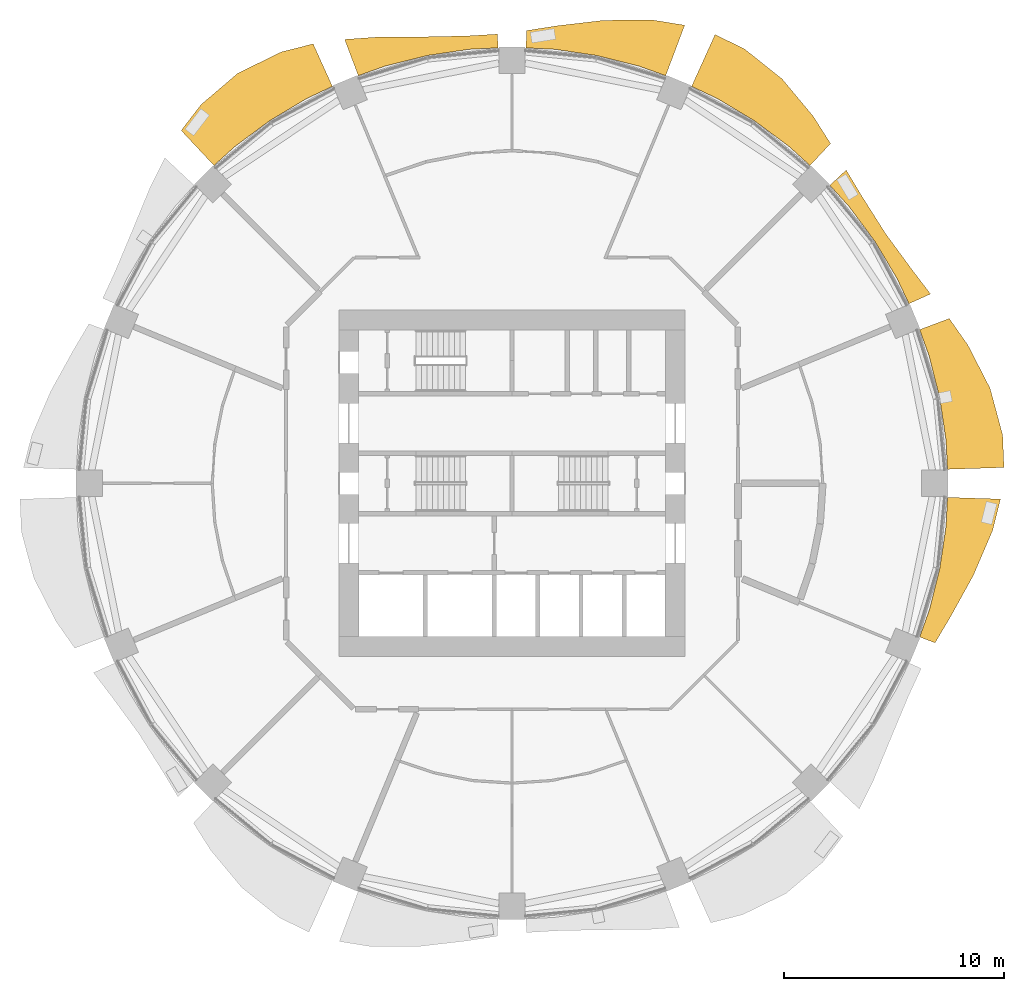
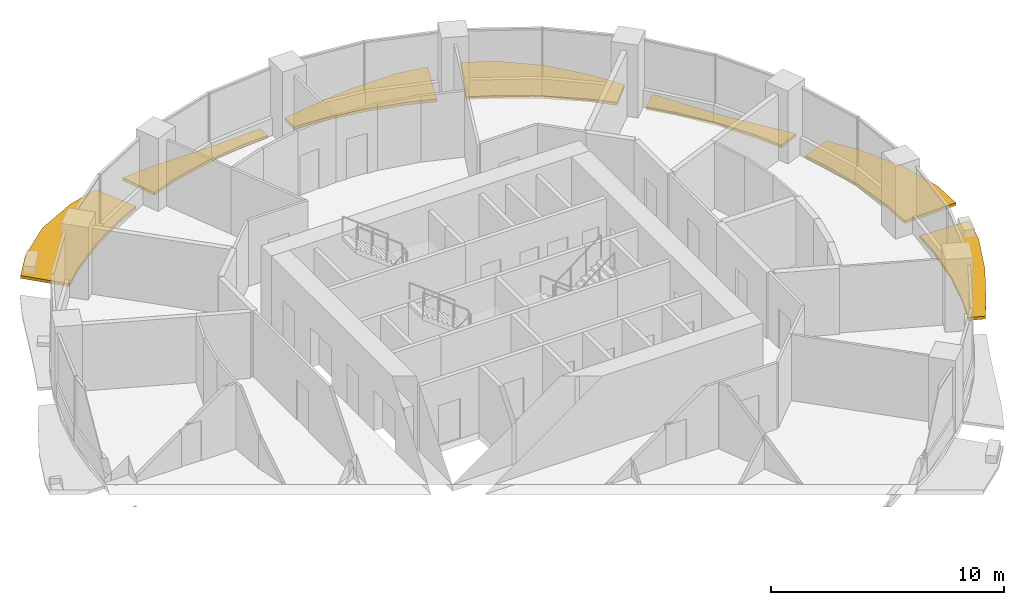
# One storey, part 14 of 15: 7 shading devices.
"""IFC4 building model written with IfcOpenShell, lengths in metres."""

import ifcopenshell
import ifcopenshell.guid

model = None  # the IFC model being written
_history = None  # IfcOwnerHistory: only IFC2X3 demands one
_inside = {}  # id of a spatial element -> (the spatial element, [elements in it])
_under = {}  # id of a project, library or spatial element -> (it, [spatial elements below it])
_declared = {}  # id of a project -> (the project, [libraries it declares])
_typed = {}  # id of a type object -> (the type object, [elements of that type])
_made_of = {}  # id of a material, layer set ... -> (it, [elements and type objects made of it])


def new_model(schema):
    """Start an empty IFC model of exactly this schema.

    Asked for "IFC4X3", IfcOpenShell would pick the latest addendum, in which some entities
    have other attributes; the version numbers below select the first issue.
    IFC2X3 requires an IfcOwnerHistory on every rooted entity: one is made here for all.
    """
    global model, _history
    if schema == "IFC4X3":
        model = ifcopenshell.file(schema_version=(4, 3, 0, 0))
    else:
        model = ifcopenshell.file(schema=schema)
    _inside.clear()
    _under.clear()
    _declared.clear()
    _typed.clear()
    _made_of.clear()
    _history = None
    if model.schema == "IFC2X3":
        org = make("IfcOrganization", Name="unknown")
        user = make(
            "IfcPersonAndOrganization",
            ThePerson=make("IfcPerson", FamilyName="unknown"),
            TheOrganization=org,
        )
        app = make(
            "IfcApplication",
            ApplicationDeveloper=org,
            Version="unknown",
            ApplicationFullName="unknown",
            ApplicationIdentifier="unknown",
        )
        _history = make(
            "IfcOwnerHistory",
            OwningUser=user,
            OwningApplication=app,
            ChangeAction="ADDED",
            CreationDate=0,
        )
    return model


def make(cls, **values):
    """One entity of the class cls with the attributes given. An attribute that is None is left unset."""
    return model.create_entity(
        cls, **{name: value for name, value in values.items() if value is not None}
    )


def rooted(cls, **values):
    """An entity with a GlobalId (a new one), such as an element, a storey or a relation."""
    return make(cls, GlobalId=ifcopenshell.guid.new(), OwnerHistory=_history, **values)


def si_unit(unit_type, name, prefix=None):
    """IfcSIUnit, for example si_unit("LENGTHUNIT", "METRE", prefix="MILLI")."""
    return make("IfcSIUnit", UnitType=unit_type, Prefix=prefix, Name=name)


def assignment(units):
    """IfcUnitAssignment: the units of a project."""
    return None if units is None else make("IfcUnitAssignment", Units=units)


def point(xyz):
    """IfcCartesianPoint."""
    return None if xyz is None else make("IfcCartesianPoint", Coordinates=xyz)


def direction(xyz):
    """IfcDirection."""
    return None if xyz is None else make("IfcDirection", DirectionRatios=xyz)


def frame(location, z_axis=None, x_axis=None):
    """IfcAxis2Placement3D, a coordinate frame: its origin and axes. An axis left out is left unset."""
    return make(
        "IfcAxis2Placement3D",
        Location=point(location),
        Axis=direction(z_axis),
        RefDirection=direction(x_axis),
    )


def origin():
    """The frame at (0, 0, 0) with its axes left unset."""
    return frame((0.0, 0.0, 0.0))


def place(relative_to, where):
    """IfcLocalPlacement: puts the frame where relative to a parent placement (None: the world)."""
    return make(
        "IfcLocalPlacement", PlacementRelTo=relative_to, RelativePlacement=where
    )


def context(
    kind, dimensions, precision=None, world=None, true_north=None, identifier=None
):
    """IfcGeometricRepresentationContext, for example the 3D "Model" context."""
    return make(
        "IfcGeometricRepresentationContext",
        ContextIdentifier=identifier,
        ContextType=kind,
        CoordinateSpaceDimension=dimensions,
        Precision=precision,
        WorldCoordinateSystem=world,
        TrueNorth=true_north,
    )


def subcontext(parent, identifier, kind, view, scale=None):
    """IfcGeometricRepresentationSubContext, for example "Body" below "Model"."""
    return make(
        "IfcGeometricRepresentationSubContext",
        ContextIdentifier=identifier,
        ContextType=kind,
        ParentContext=parent,
        TargetScale=scale,
        TargetView=view,
    )


def project(units=None, contexts=None):
    """IfcProject with its units and contexts."""
    return rooted(
        "IfcProject",
        Name="project",
        RepresentationContexts=contexts,
        UnitsInContext=assignment(units),
    )


def spatial(cls, under=None, at=None, **own):
    """A site, building, storey or space (cls), placed at a placement, below another one or the project."""
    s = rooted(cls, ObjectPlacement=at, **own)
    if under is not None:
        _under.setdefault(under.id(), (under, []))[1].append(s)
    return s


def polyline(points):
    """IfcPolyline through the points."""
    return make("IfcPolyline", Points=[point(p) for p in points])


def outline(outer, holes=None, kind="AREA"):
    """IfcArbitraryClosedProfileDef: a profile drawn as a closed curve; with holes, ...WithVoids."""
    if holes is None:
        return make("IfcArbitraryClosedProfileDef", ProfileType=kind, OuterCurve=outer)
    return make(
        "IfcArbitraryProfileDefWithVoids",
        ProfileType=kind,
        OuterCurve=outer,
        InnerCurves=holes,
    )


def extrude(swept, where, along, depth):
    """IfcExtrudedAreaSolid: the profile swept, set in the frame where, extruded along a direction by depth."""
    return make(
        "IfcExtrudedAreaSolid",
        SweptArea=swept,
        Position=where,
        ExtrudedDirection=direction(along),
        Depth=depth,
    )


def shape(context_of_items, identifier, shape_type, items):
    """IfcShapeRepresentation: the items that make up one representation, for example the "Body"."""
    return make(
        "IfcShapeRepresentation",
        ContextOfItems=context_of_items,
        RepresentationIdentifier=identifier,
        RepresentationType=shape_type,
        Items=items,
    )


def material(Name=None, Category=None):
    """IfcMaterial."""
    return make("IfcMaterial", Name=Name, Category=Category)


def made_of(thing, what):
    """Note that an element or type object is made of a material, layer set ...; save() writes the relation."""
    if what is not None:
        _made_of.setdefault(what.id(), (what, []))[1].append(thing)
    return thing


def type_object(cls, material=None, **own):
    """A type object (cls), such as IfcWallType, which elements share."""
    return made_of(rooted(cls, **own), material)


def element(
    cls,
    number,
    at=None,
    inside=None,
    cuts=None,
    type_object=None,
    material=None,
    context=None,
    identifier="Body",
    shape_type=None,
    held_by="IfcProductDefinitionShape",
    body=None,
    shapes=None,
    **own,
):
    """One element of the class cls, such as IfcWall. Its Tag is "e" and its number.

    at: its placement. inside: the storey or other place that contains it. cuts: it is an
    opening in that element (IfcRelVoidsElement). A single representation is given by context,
    identifier, shape_type and body (its items); several are given by shapes. held_by: the class
    of the entity that holds the representations. save() writes the other relations.
    """
    e = rooted(cls, Tag="e%d" % number, ObjectPlacement=at, **own)
    if body is not None:
        shapes = [shape(context, identifier, shape_type, body)]
    if shapes is not None:
        e.Representation = make(held_by, Representations=shapes)
    if inside is not None:
        _inside.setdefault(inside.id(), (inside, []))[1].append(e)
    if cuts is not None:
        rooted(
            "IfcRelVoidsElement", RelatingBuildingElement=cuts, RelatedOpeningElement=e
        )
    if type_object is not None:
        _typed.setdefault(type_object.id(), (type_object, []))[1].append(e)
    return made_of(e, material)


def aggregate(whole, parts):
    """IfcRelAggregates: a whole, such as a stair, and the parts it consists of."""
    return rooted("IfcRelAggregates", RelatingObject=whole, RelatedObjects=parts)


def save(model, path):
    """Write the relations noted so far, then the file.

    IfcRelAggregates (storeys below a building ...), IfcRelContainedInSpatialStructure (elements
    in a storey), IfcRelDefinesByType, IfcRelAssociatesMaterial and IfcRelDeclares: one each for
    every whole, place, type object, material and project.
    """
    for whole, parts in _under.values():
        aggregate(whole, parts)
    for where, things in _inside.values():
        rooted(
            "IfcRelContainedInSpatialStructure",
            RelatedElements=things,
            RelatingStructure=where,
        )
    for kind, things in _typed.values():
        rooted("IfcRelDefinesByType", RelatedObjects=things, RelatingType=kind)
    for what, things in _made_of.values():
        rooted("IfcRelAssociatesMaterial", RelatedObjects=things, RelatingMaterial=what)
    for by, libraries in _declared.values():
        rooted("IfcRelDeclares", RelatingContext=by, RelatedDefinitions=libraries)
    model.write(path)


model = new_model("IFC4")

# Units and contexts
model_context = context("Model", 3, precision=1e-05, world=origin(), true_north=direction((0.0, 1.0)))
body_context = subcontext(model_context, "Body", "Model", "MODEL_VIEW")
ifc_project = project(units=[si_unit("LENGTHUNIT", "METRE"), si_unit("AREAUNIT", "SQUARE_METRE"), si_unit("VOLUMEUNIT", "CUBIC_METRE"), si_unit("PLANEANGLEUNIT", "RADIAN"), si_unit("MASSUNIT", "GRAM", prefix="KILO")], contexts=[model_context])

# Site, building, storey
site_placement = place(None, origin())
site = spatial("IfcSite", under=ifc_project, at=site_placement, CompositionType="ELEMENT")
building_placement = place(site_placement, origin())
building = spatial("IfcBuilding", under=site, at=building_placement, Name="Polderwave Tower", CompositionType="ELEMENT")
storey_placement = place(building_placement, frame((0.0, 0.0, 22.39990234375)))
storey = spatial("IfcBuildingStorey", under=building, at=storey_placement, Name="L05", CompositionType="ELEMENT", Elevation=22.39990234375)

# Shading devices
ifc_material = material(Name="Terracotta", Category="masonry")
shading_device_type = type_object("IfcShadingDeviceType", Name="Terracotta sunshade band", PredefinedType="USERDEFINED", material=ifc_material)
shading_device_1_placement = place(storey_placement, frame((0.0, 0.0, -0.349853515625)))
element("IfcShadingDevice", 1, at=shading_device_1_placement, inside=storey, type_object=shading_device_type, Name="Sunshade band L05 1", ObjectType="SUNSHADE", PredefinedType="USERDEFINED", context=body_context, shape_type="SweptSolid", body=[
    extrude(outline(polyline([(19.798583984375, 0.6376953125), (19.734619140625, 1.943603515625), (19.448974609375, 3.86865234375), (18.97607421875, 5.75634765625), (18.53564453125, 6.987548828125), (19.880126953125, 7.494384765625), (20.727294921875, 6.28759765625), (21.736083984375, 4.323486328125), (22.30908203125, 2.197265625), (22.369873046875, 0.720458984375), (19.798583984375, 0.6376953125)])), origin(), (0.0, 0.0, 1.0), 0.14990234375),
])
shading_device_2_placement = place(storey_placement, frame((0.0, 0.0, -0.349853515625)))
element("IfcShadingDevice", 2, at=shading_device_2_placement, inside=storey, type_object=shading_device_type, Name="Sunshade band L05 2", ObjectType="SUNSHADE", PredefinedType="USERDEFINED", context=body_context, shape_type="SweptSolid", body=[
    extrude(outline(polyline([(18.047607421875, 8.165771484375), (17.488525390625, 9.347900390625), (16.488037109375, 11.01708984375), (15.328857421875, 12.580078125), (14.45068359375, 13.548828125), (15.193115234375, 14.244873046875), (15.907958984375, 13.055419921875), (16.987548828125, 11.3505859375), (18.184326171875, 9.7197265625), (19.029052734375, 8.60986328125), (18.047607421875, 8.165771484375)])), origin(), (0.0, 0.0, 1.0), 0.14990234375),
])
shading_device_3_placement = place(storey_placement, frame((0.0, 0.0, -0.349853515625)))
element("IfcShadingDevice", 3, at=shading_device_3_placement, inside=storey, type_object=shading_device_type, Name="Sunshade band L05 3", ObjectType="SUNSHADE", PredefinedType="USERDEFINED", context=body_context, shape_type="SweptSolid", body=[
    extrude(outline(polyline([(13.548828125, 14.45068359375), (12.580078125, 15.328857421875), (11.01708984375, 16.488037109375), (9.347900390625, 17.488525390625), (8.165771484375, 18.047607421875), (9.23193359375, 20.404296875), (10.560791015625, 19.7578125), (12.284423828125, 18.385009765625), (13.696533203125, 16.689208984375), (14.48388671875, 15.44775390625), (13.548828125, 14.45068359375)])), origin(), (0.0, 0.0, 1.0), 0.14990234375),
])
shading_device_4_placement = place(storey_placement, frame((0.0, 0.0, -0.349853515625)))
element("IfcShadingDevice", 4, at=shading_device_4_placement, inside=storey, type_object=shading_device_type, Name="Sunshade band L05 4", ObjectType="SUNSHADE", PredefinedType="USERDEFINED", context=body_context, shape_type="SweptSolid", body=[
    extrude(outline(polyline([(6.987548828125, 18.53564453125), (5.75634765625, 18.97607421875), (3.86865234375, 19.448974609375), (1.943603515625, 19.734619140625), (0.6376953125, 19.798583984375), (0.6630859375, 20.58544921875), (2.049072265625, 20.803955078125), (4.187744140625, 21.05322265625), (6.390625, 21.06689453125), (7.8525390625, 20.830322265625), (6.987548828125, 18.53564453125)])), origin(), (0.0, 0.0, 1.0), 0.14990234375),
])
shading_device_5_placement = place(storey_placement, frame((0.0, 0.0, -0.349853515625)))
element("IfcShadingDevice", 5, at=shading_device_5_placement, inside=storey, type_object=shading_device_type, Name="Sunshade band L05 5", ObjectType="SUNSHADE", PredefinedType="USERDEFINED", context=body_context, shape_type="SweptSolid", body=[
    extrude(outline(polyline([(-0.6376953125, 19.798583984375), (-1.943603515625, 19.734619140625), (-3.86865234375, 19.448974609375), (-5.75634765625, 18.97607421875), (-6.987548828125, 18.53564453125), (-7.609375, 20.185302734375), (-6.154052734375, 20.287109375), (-4.0380859375, 20.30029296875), (-2.00390625, 20.344482421875), (-0.65771484375, 20.42578125), (-0.6376953125, 19.798583984375)])), origin(), (0.0, 0.0, 1.0), 0.14990234375),
])
shading_device_6_placement = place(storey_placement, frame((0.0, 0.0, -0.349853515625)))
element("IfcShadingDevice", 6, at=shading_device_6_placement, inside=storey, type_object=shading_device_type, Name="Sunshade band L05 6", ObjectType="SUNSHADE", PredefinedType="USERDEFINED", context=body_context, shape_type="SweptSolid", body=[
    extrude(outline(polyline([(-8.165771484375, 18.047607421875), (-9.347900390625, 17.488525390625), (-11.01708984375, 16.488037109375), (-12.580078125, 15.328857421875), (-13.548828125, 14.45068359375), (-15.04150390625, 16.042724609375), (-14.134765625, 17.223388671875), (-12.461181640625, 18.6494140625), (-10.484375, 19.614990234375), (-9.040771484375, 19.981689453125), (-8.165771484375, 18.047607421875)])), origin(), (0.0, 0.0, 1.0), 0.14990234375),
])
shading_device_7_placement = place(storey_placement, frame((0.0, 0.0, -0.349853515625)))
element("IfcShadingDevice", 7, at=shading_device_7_placement, inside=storey, type_object=shading_device_type, Name="Sunshade band L05 16", ObjectType="SUNSHADE", PredefinedType="USERDEFINED", context=body_context, shape_type="SweptSolid", body=[
    extrude(outline(polyline([(18.53564453125, -6.987548828125), (18.97607421875, -5.75634765625), (19.448974609375, -3.86865234375), (19.734619140625, -1.943603515625), (19.798583984375, -0.6376953125), (22.210205078125, -0.71533203125), (21.849609375, -2.152099609375), (20.983154296875, -4.173828125), (19.947509765625, -6.051025390625), (19.235107421875, -7.251220703125), (18.53564453125, -6.987548828125)])), origin(), (0.0, 0.0, 1.0), 0.14990234375),
])

save(model, "model.ifc")
